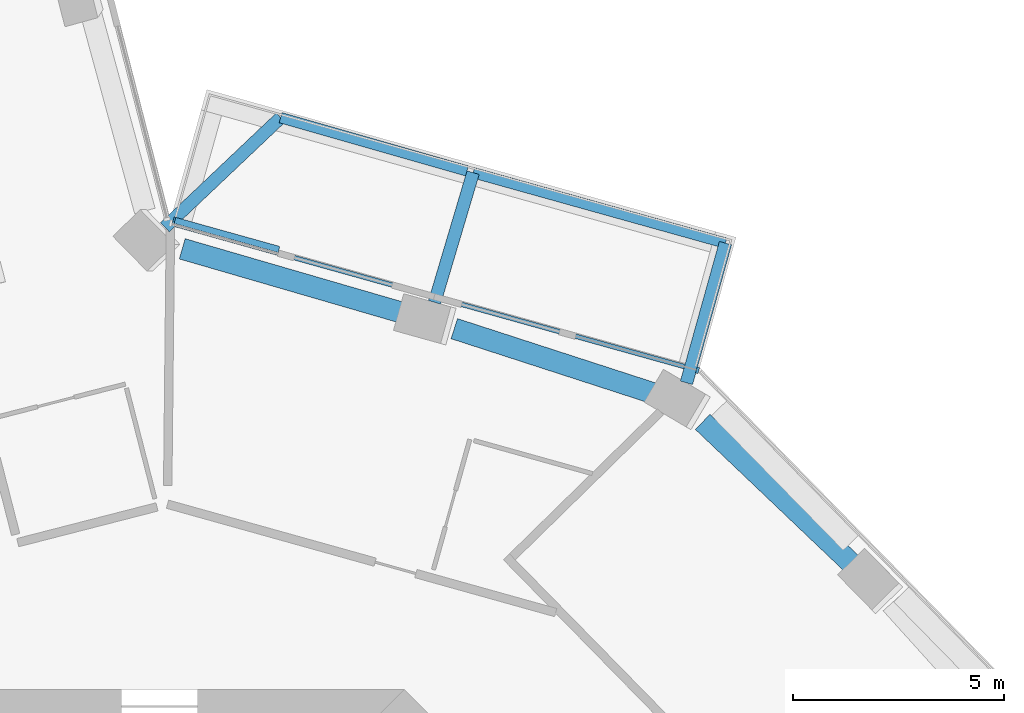
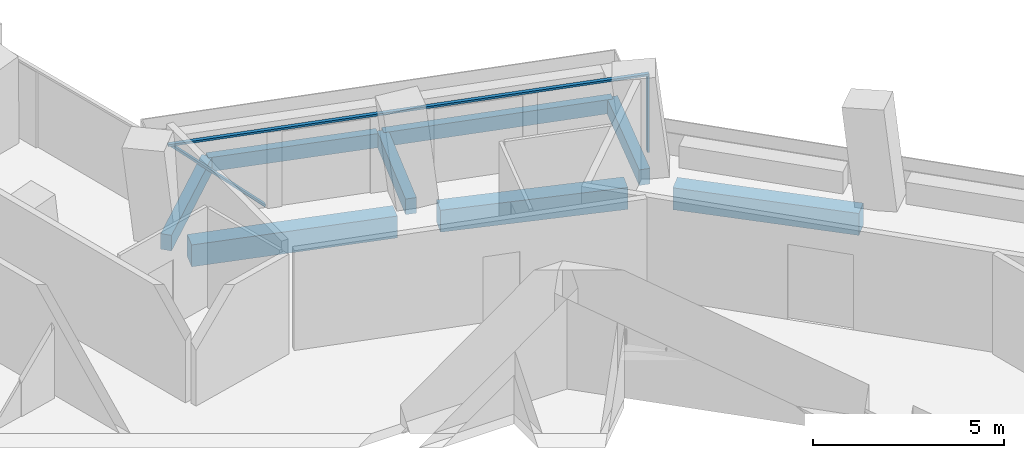
# One storey, part 10 of 26: 8 beams, 3 members, 1 element without a shape of its own.
"""IFC4 building model written with IfcOpenShell, lengths in metres."""

from ifc_helpers import new_model, si_unit, direction, frame, origin, origin_2d, place, context, subcontext, project, spatial, rectangle, extrude, material, layer, layer_set, material_profile, profile_set, type_object, element, aggregate, save


model = new_model("IFC4")

# Units and contexts
model_context = context("Model", 3, precision=1e-05, world=origin(), true_north=direction((0.0, 1.0)))
body_context = subcontext(model_context, "Body", "Model", "MODEL_VIEW")
ifc_project = project(units=[si_unit("LENGTHUNIT", "METRE"), si_unit("AREAUNIT", "SQUARE_METRE"), si_unit("VOLUMEUNIT", "CUBIC_METRE"), si_unit("PLANEANGLEUNIT", "RADIAN"), si_unit("MASSUNIT", "GRAM", prefix="KILO")], contexts=[model_context])

# Site, building, storey
site_placement = place(None, origin())
site = spatial("IfcSite", under=ifc_project, at=site_placement, CompositionType="ELEMENT")
building_placement = place(site_placement, origin())
building = spatial("IfcBuilding", under=site, at=building_placement, Name="Verdalira Terraces Hotel", CompositionType="ELEMENT")
storey_placement = place(building_placement, frame((0.0, 0.0, 93.0)))
storey = spatial("IfcBuildingStorey", under=building, at=storey_placement, Name="L21", CompositionType="ELEMENT", Elevation=93.0)

# Beams
ifc_material_1 = material(Name="Concrete C40", Category="concrete")
ifc_material_profile_1 = material_profile(ifc_material_1, rectangle(XDim=0.300049, YDim=0.5, at=origin_2d()), Name="RC 300X500")
ifc_profile_set_1 = profile_set([ifc_material_profile_1], Name="Concrete C40")
beam_type_1 = type_object("IfcBeamType", Name="Balcony cantilever beam RC 300X500 C40", PredefinedType="BEAM", material=ifc_profile_set_1)
beam_1_placement = place(storey_placement, frame((12.47168, 21.255859, -0.560059), z_axis=(0.268927904, 0.96316031, 0.0), x_axis=(-0.96316031, 0.268927904, 0.0)))
element("IfcBeam", 1, at=beam_1_placement, inside=storey, type_object=beam_type_1, Name="Balcony cantilever beam R41-1", PredefinedType="BEAM", context=body_context, shape_type="SweptSolid", body=[
    extrude(rectangle(XDim=0.300049, YDim=0.5, at=origin_2d()), origin(), (0.0, 0.0, 1.0), 3.431641),
])
beam_2_placement = place(storey_placement, frame((6.510742, 23.1604, -0.560059), z_axis=(0.285030876, 0.958518336, 0.0), x_axis=(-0.958518336, 0.285030876, 0.0)))
element("IfcBeam", 2, at=beam_2_placement, inside=storey, type_object=beam_type_1, Name="Balcony cantilever beam R41-2", PredefinedType="BEAM", context=body_context, shape_type="SweptSolid", body=[
    extrude(rectangle(XDim=0.300049, YDim=0.5, at=origin_2d()), origin(), (0.0, 0.0, 1.0), 3.200928),
])
beam_3_placement = place(storey_placement, frame((0.131348, 24.9375, -0.560059), z_axis=(0.72608031, 0.687609906, 0.0), x_axis=(-0.687609906, 0.72608031, 0.0)))
element("IfcBeam", 3, at=beam_3_placement, inside=storey, type_object=beam_type_1, Name="Balcony cantilever beam R41-3", PredefinedType="BEAM", context=body_context, shape_type="SweptSolid", body=[
    extrude(rectangle(XDim=0.300049, YDim=0.5, at=origin_2d()), origin(), (0.0, 0.0, 1.0), 3.769531),
])
ifc_material_2 = material(Name="Concrete C40", Category="concrete")
ifc_material_profile_2 = material_profile(ifc_material_2, rectangle(XDim=0.25, YDim=0.449951, at=origin_2d()), Name="RC 250X450")
ifc_profile_set_2 = profile_set([ifc_material_profile_2], Name="Concrete C40")
beam_type_2 = type_object("IfcBeamType", Name="Balcony edge beam RC 250X450 C40", PredefinedType="BEAM", material=ifc_profile_set_2)
beam_4_placement = place(storey_placement, frame((13.394531, 24.561035, -0.534912), z_axis=(-0.963153137, 0.268953593, 0.0), x_axis=(-0.268953593, -0.963153137, 0.0)))
element("IfcBeam", 4, at=beam_4_placement, inside=storey, type_object=beam_type_2, Name="Balcony edge beam R41-1", PredefinedType="BEAM", context=body_context, shape_type="SweptSolid", body=[
    extrude(rectangle(XDim=0.25, YDim=0.449951, at=origin_2d()), origin(), (0.0, 0.0, 1.0), 6.199951),
])
beam_5_placement = place(storey_placement, frame((7.278809, 26.269531, -0.534912), z_axis=(-0.961529973, 0.274700038, 0.0), x_axis=(-0.274700038, -0.961529973, 0.0)))
element("IfcBeam", 5, at=beam_5_placement, inside=storey, type_object=beam_type_2, Name="Balcony edge beam R41-2", PredefinedType="BEAM", context=body_context, shape_type="SweptSolid", body=[
    extrude(rectangle(XDim=0.25, YDim=0.449951, at=origin_2d()), origin(), (0.0, 0.0, 1.0), 4.586914),
])

# Curtain wall, members
ifc_material_3 = material(Name="Clear glass", Category="glass")
ifc_layer = layer(ifc_material_3, 0.14990234375)
ifc_layer_set = layer_set([ifc_layer], Name="CW1 curtain wall")
curtain_wall_type = type_object("IfcCurtainWallType", Name="CW1 curtain wall", PredefinedType="NOTDEFINED", material=ifc_layer_set)
curtain_wall_placement = place(storey_placement, origin())
curtain_wall = element("IfcCurtainWall", 6, at=curtain_wall_placement, inside=storey, type_object=curtain_wall_type, Name="CW1 curtain wall L21 edge 41", PredefinedType="NOTDEFINED")
ifc_material_4 = material(Name="Terracotta frame", Category="masonry")
ifc_material_profile_3 = material_profile(ifc_material_4, rectangle(XDim=0.060059, YDim=0.149902, at=origin_2d()), Name="MU 60x150")
ifc_profile_set_3 = profile_set([ifc_material_profile_3], Name="Terracotta frame")
member_type_1 = type_object("IfcMemberType", Name="CW1 mullion 60x150", PredefinedType="MULLION", material=ifc_profile_set_3)
member_1_placement = place(storey_placement, frame((12.735107, 21.55249, 0.0), z_axis=(0.0, 0.0, 1.0), x_axis=(-0.963162567, 0.268919821, 0.0)))
member_1 = element("IfcMember", 7, at=member_1_placement, type_object=member_type_1, Name="CW1 mullion", PredefinedType="MULLION", context=body_context, shape_type="SweptSolid", body=[
    extrude(rectangle(XDim=0.060059, YDim=0.149902, at=origin_2d()), origin(), (0.0, 0.0, 1.0), 2.425049),
])
ifc_material_5 = material(Name="Terracotta frame", Category="masonry")
ifc_material_profile_4 = material_profile(ifc_material_5, rectangle(XDim=0.110107, YDim=0.064941, at=origin_2d()), Name="TR 65x110")
ifc_profile_set_4 = profile_set([ifc_material_profile_4], Name="Terracotta frame")
member_type_2 = type_object("IfcMemberType", Name="CW1 transom 65x110", PredefinedType="USERDEFINED", material=ifc_profile_set_4)
member_2_placement = place(storey_placement, frame((12.763916, 21.544434, 2.45752), z_axis=(-0.963159203, 0.268931868, 0.0), x_axis=(-0.268931868, -0.963159203, 0.0)))
member_2 = element("IfcMember", 8, at=member_2_placement, type_object=member_type_2, Name="CW1 transom", ObjectType="TRANSOM", PredefinedType="USERDEFINED", context=body_context, shape_type="SweptSolid", body=[
    extrude(rectangle(XDim=0.110107, YDim=0.064941, at=origin_2d()), origin(), (0.0, 0.0, 1.0), 13.0),
])
ifc_material_6 = material(Name="Terracotta frame", Category="masonry")
ifc_material_profile_5 = material_profile(ifc_material_6, rectangle(XDim=0.149902, YDim=0.060059, at=origin_2d()), Name="GB 60x150")
ifc_profile_set_5 = profile_set([ifc_material_profile_5], Name="Terracotta frame")
member_type_3 = type_object("IfcMemberType", Name="Diagonal glazing bar 60x150", PredefinedType="USERDEFINED", material=ifc_profile_set_5)
member_3_placement = place(storey_placement, frame((2.809082, 24.41626, 0.023438), z_axis=(-0.704959083, 0.196840133, 0.681385833), x_axis=(-0.268935056, -0.963158313, 0.0)))
member_3 = element("IfcMember", 9, at=member_3_placement, type_object=member_type_3, Name="Diagonal glazing bar", ObjectType="GLAZING BAR", PredefinedType="USERDEFINED", context=body_context, shape_type="SweptSolid", body=[
    extrude(rectangle(XDim=0.149902, YDim=0.060059, at=origin_2d()), origin(), (0.0, 0.0, 1.0), 3.490234),
])
aggregate(curtain_wall, [member_1, member_2, member_3])

# Beams
ifc_material_7 = material(Name="Concrete C70", Category="concrete")
ifc_material_profile_6 = material_profile(ifc_material_7, rectangle(XDim=0.5, YDim=0.699951, at=origin_2d()), Name="RC 500X700")
ifc_profile_set_6 = profile_set([ifc_material_profile_6], Name="Concrete C70")
beam_type_3 = type_object("IfcBeamType", Name="Spandrel beam RC 500X700 C70", PredefinedType="SPANDREL", material=ifc_profile_set_6)
beam_6_placement = place(storey_placement, frame((16.486328, 16.876221, -0.659912), z_axis=(-0.724353351, 0.689428911, 0.0), x_axis=(-0.689428911, -0.724353351, 0.0)))
element("IfcBeam", 10, at=beam_6_placement, inside=storey, type_object=beam_type_3, Name="Spandrel beam B27", PredefinedType="SPANDREL", context=body_context, shape_type="SweptSolid", body=[
    extrude(rectangle(XDim=0.5, YDim=0.699951, at=origin_2d()), origin(), (0.0, 0.0, 1.0), 5.012207),
])
beam_7_placement = place(storey_placement, frame((11.748291, 20.989258, -0.659912), z_axis=(-0.951184203, 0.308623738, 0.0), x_axis=(-0.308623738, -0.951184203, 0.0)))
element("IfcBeam", 11, at=beam_7_placement, inside=storey, type_object=beam_type_3, Name="Spandrel beam B28", PredefinedType="SPANDREL", context=body_context, shape_type="SweptSolid", body=[
    extrude(rectangle(XDim=0.5, YDim=0.699951, at=origin_2d()), origin(), (0.0, 0.0, 1.0), 5.015381),
])
beam_8_placement = place(storey_placement, frame((5.865479, 22.87915, -0.659912), z_axis=(-0.960286499, 0.279015843, 0.0), x_axis=(-0.279015843, -0.960286499, 0.0)))
element("IfcBeam", 12, at=beam_8_placement, inside=storey, type_object=beam_type_3, Name="Spandrel beam B29", PredefinedType="SPANDREL", context=body_context, shape_type="SweptSolid", body=[
    extrude(rectangle(XDim=0.5, YDim=0.699951, at=origin_2d()), origin(), (0.0, 0.0, 1.0), 5.544922),
])

save(model, "model.ifc")
